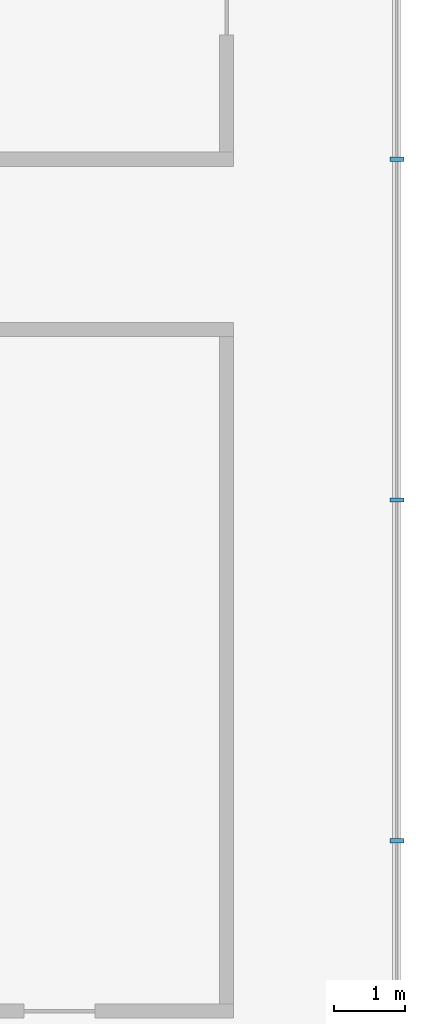
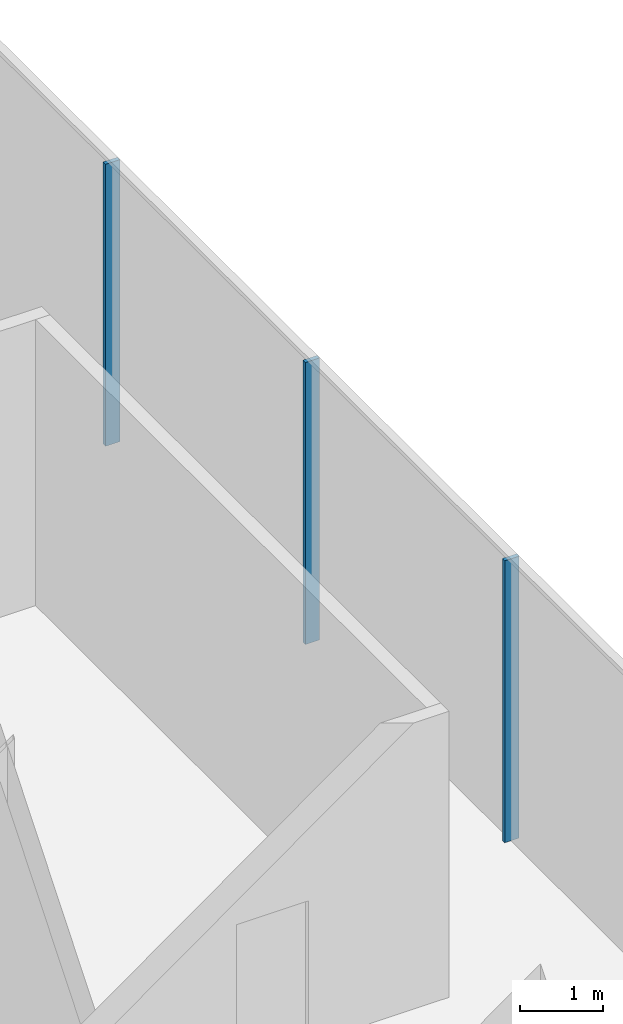
# One storey, part 14 of 45: 3 members, 1 element without a shape of its own.
"""IFC4 building model written with IfcOpenShell, lengths in metres."""

from ifc_helpers import new_model, si_unit, direction, frame, origin, origin_2d, place, context, subcontext, project, spatial, rectangle, extrude, material, layer, layer_set, material_profile, profile_set, type_object, element, aggregate, save


model = new_model("IFC4")

# Units and contexts
model_context = context("Model", 3, precision=1e-05, world=origin(), true_north=direction((0.0, 1.0)))
body_context = subcontext(model_context, "Body", "Model", "MODEL_VIEW")
ifc_project = project(units=[si_unit("LENGTHUNIT", "METRE"), si_unit("AREAUNIT", "SQUARE_METRE"), si_unit("VOLUMEUNIT", "CUBIC_METRE"), si_unit("PLANEANGLEUNIT", "RADIAN"), si_unit("MASSUNIT", "GRAM", prefix="KILO")], contexts=[model_context])

# Site, building, storey
site_placement = place(None, origin())
site = spatial("IfcSite", under=ifc_project, at=site_placement, CompositionType="ELEMENT")
building_placement = place(site_placement, origin())
building = spatial("IfcBuilding", under=site, at=building_placement, Name="Madar Terraces", CompositionType="ELEMENT")
storey_placement = place(building_placement, frame((0.0, 0.0, 6.0)))
storey = spatial("IfcBuildingStorey", under=building, at=storey_placement, Name="L01", CompositionType="ELEMENT", Elevation=6.0)

# Curtain wall, members
ifc_material_1 = material(Name="Glass, clear low-iron, with black aluminium frame", Category="aluminium")
ifc_layer = layer(ifc_material_1, 0.199951171875)
ifc_layer_set = layer_set([ifc_layer], Name="Facade curtain wall, shopfront glazing")
curtain_wall_type = type_object("IfcCurtainWallType", Name="Facade curtain wall, shopfront glazing", PredefinedType="NOTDEFINED", material=ifc_layer_set)
curtain_wall_placement = place(storey_placement, origin())
curtain_wall = element("IfcCurtainWall", 1, at=curtain_wall_placement, inside=storey, type_object=curtain_wall_type, Name="Outer skin curtain wall east bay 1", PredefinedType="NOTDEFINED")
ifc_material_2 = material(Name="Aluminium, black anodised", Category="aluminium")
ifc_material_profile = material_profile(ifc_material_2, rectangle(XDim=0.199951171875, YDim=0.06005859375, at=origin_2d()), Name="Facade mullion 60x200")
ifc_profile_set = profile_set([ifc_material_profile], Name="Aluminium, black anodised")
member_type = type_object("IfcMemberType", Name="Facade mullion 60x200", PredefinedType="MULLION", material=ifc_profile_set)
member_1_placement = place(storey_placement, frame((69.60009765625, -9.60009765625, 0.0), z_axis=(0.0, 0.0, 1.0), x_axis=(-1.0, 0.0, 0.0)))
member_1 = element("IfcMember", 2, at=member_1_placement, type_object=member_type, Name="Mullion 5", PredefinedType="MULLION", context=body_context, shape_type="SweptSolid", body=[
    extrude(rectangle(XDim=0.199951171875, YDim=0.06005859375, at=origin_2d()), origin(), (0.0, 0.0, 1.0), 4.139892578125),
])
member_2_placement = place(storey_placement, frame((69.60009765625, -4.800048828125, 0.0), z_axis=(0.0, 0.0, 1.0), x_axis=(-1.0, 0.0, 0.0)))
member_2 = element("IfcMember", 3, at=member_2_placement, type_object=member_type, Name="Mullion 6", PredefinedType="MULLION", context=body_context, shape_type="SweptSolid", body=[
    extrude(rectangle(XDim=0.199951171875, YDim=0.06005859375, at=origin_2d()), origin(), (0.0, 0.0, 1.0), 4.139892578125),
])
member_3_placement = place(storey_placement, frame((69.60009765625, 0.0, 0.0), z_axis=(0.0, 0.0, 1.0), x_axis=(-1.0, 0.0, 0.0)))
member_3 = element("IfcMember", 4, at=member_3_placement, type_object=member_type, Name="Mullion 7", PredefinedType="MULLION", context=body_context, shape_type="SweptSolid", body=[
    extrude(rectangle(XDim=0.199951171875, YDim=0.06005859375, at=origin_2d()), origin(), (0.0, 0.0, 1.0), 4.139892578125),
])
aggregate(curtain_wall, [member_1, member_2, member_3])

save(model, "model.ifc")
